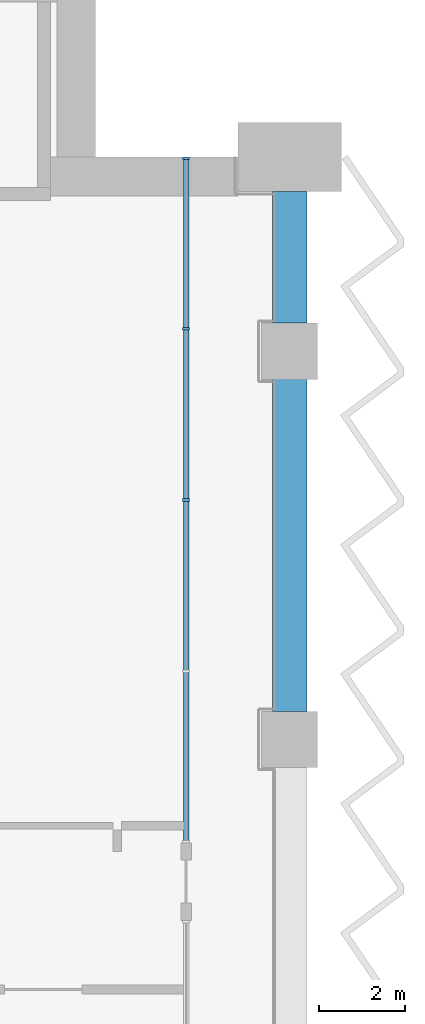
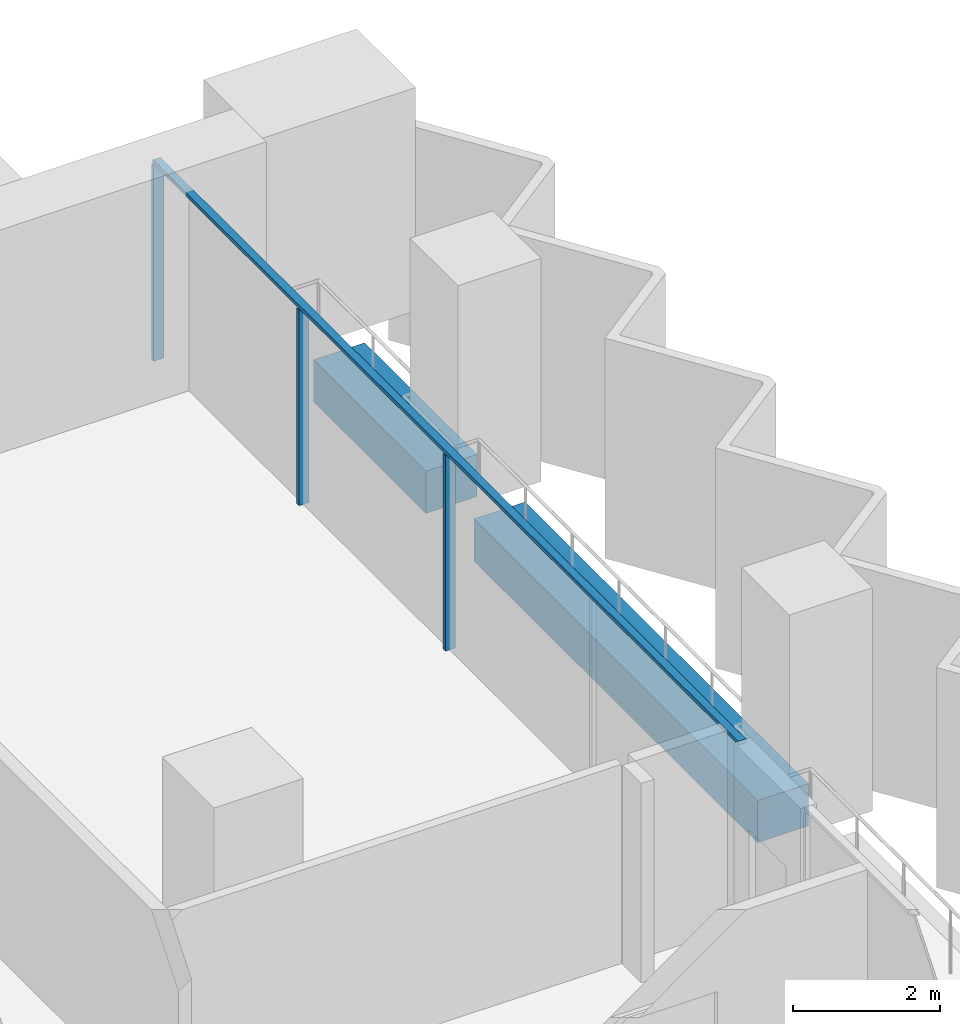
# One storey, part 7 of 29: 4 members, 2 beams, 1 element without a shape of its own.
"""IFC4 building model written with IfcOpenShell, lengths in metres."""

from ifc_helpers import new_model, si_unit, direction, frame, origin, origin_2d, place, context, subcontext, project, spatial, rectangle, extrude, material, material_profile, profile_set, type_object, element, aggregate, save


model = new_model("IFC4")

# Units and contexts
model_context = context("Model", 3, precision=1e-05, world=origin(), true_north=direction((0.0, 1.0)))
body_context = subcontext(model_context, "Body", "Model", "MODEL_VIEW")
ifc_project = project(units=[si_unit("LENGTHUNIT", "METRE"), si_unit("AREAUNIT", "SQUARE_METRE"), si_unit("VOLUMEUNIT", "CUBIC_METRE"), si_unit("PLANEANGLEUNIT", "RADIAN"), si_unit("MASSUNIT", "GRAM", prefix="KILO")], contexts=[model_context])

# Site, building, storey
site_placement = place(None, origin())
site = spatial("IfcSite", under=ifc_project, at=site_placement, CompositionType="ELEMENT")
building_placement = place(site_placement, origin())
building = spatial("IfcBuilding", under=site, at=building_placement, Name="Hunhe Ridgeline Campus", CompositionType="ELEMENT")
storey_placement = place(building_placement, frame((0.0, 0.0, 69.10009765625)))
storey = spatial("IfcBuildingStorey", under=building, at=storey_placement, Name="L16", CompositionType="ELEMENT", Elevation=69.10009765625)

# Curtain wall, members
ifc_material_1 = material(Name="Aluminium 6063", Category="aluminium")
curtain_wall_type = type_object("IfcCurtainWallType", Name="Curtain wall CW-1", PredefinedType="NOTDEFINED", material=ifc_material_1)
curtain_wall_placement = place(storey_placement, origin())
curtain_wall = element("IfcCurtainWall", 1, at=curtain_wall_placement, inside=storey, type_object=curtain_wall_type, Name="Curtain wall 15", PredefinedType="NOTDEFINED")
ifc_material_profile_1 = material_profile(ifc_material_1, rectangle(XDim=0.159912109375, YDim=0.06005859375, at=origin_2d()))
ifc_profile_set_1 = profile_set([ifc_material_profile_1], Name="Aluminium 6063")
member_type_1 = type_object("IfcMemberType", Name="CW-1 aluminium mullion", PredefinedType="MULLION", material=ifc_profile_set_1)
member_1_placement = place(storey_placement, frame((96.59912109375, 86.55029296875, 0.0), z_axis=(0.0, 0.0, 1.0), x_axis=(-1.0, 0.0, 0.0)))
member_1 = element("IfcMember", 2, at=member_1_placement, type_object=member_type_1, Name="CW-1 mullion 3", PredefinedType="MULLION", context=body_context, shape_type="SweptSolid", body=[
    extrude(rectangle(XDim=0.159912109375, YDim=0.06005859375, at=origin_2d()), origin(), (0.0, 0.0, 1.0), 3.239990234375),
])
member_2_placement = place(storey_placement, frame((96.59912109375, 90.525146484375, 0.0), z_axis=(0.0, 0.0, 1.0), x_axis=(-1.0, 0.0, 0.0)))
member_2 = element("IfcMember", 3, at=member_2_placement, type_object=member_type_1, Name="CW-1 mullion 4", PredefinedType="MULLION", context=body_context, shape_type="SweptSolid", body=[
    extrude(rectangle(XDim=0.159912109375, YDim=0.06005859375, at=origin_2d()), origin(), (0.0, 0.0, 1.0), 3.239990234375),
])
member_3_placement = place(storey_placement, frame((96.59912109375, 94.469970703125, 0.0), z_axis=(0.0, 0.0, 1.0), x_axis=(-1.0, 0.0, 0.0)))
member_3 = element("IfcMember", 4, at=member_3_placement, type_object=member_type_1, Name="CW-1 mullion 5", PredefinedType="MULLION", context=body_context, shape_type="SweptSolid", body=[
    extrude(rectangle(XDim=0.159912109375, YDim=0.06005859375, at=origin_2d()), origin(), (0.0, 0.0, 1.0), 3.239990234375),
])
ifc_material_profile_2 = material_profile(ifc_material_1, rectangle(XDim=0.1201171875, YDim=0.06005859375, at=origin_2d()))
ifc_profile_set_2 = profile_set([ifc_material_profile_2], Name="Aluminium 6063")
member_type_2 = type_object("IfcMemberType", Name="CW-1 aluminium transom", PredefinedType="USERDEFINED", material=ifc_profile_set_2)
member_4_placement = place(storey_placement, frame((96.59912109375, 78.6005859375, 3.27001953125), z_axis=(0.0, 1.0, 0.0), x_axis=(-1.0, 0.0, 0.0)))
member_4 = element("IfcMember", 5, at=member_4_placement, type_object=member_type_2, Name="CW-1 transom 1", ObjectType="TRANSOM", PredefinedType="USERDEFINED", context=body_context, shape_type="SweptSolid", body=[
    extrude(rectangle(XDim=0.1201171875, YDim=0.06005859375, at=origin_2d()), origin(), (0.0, 0.0, 1.0), 15.8994140625),
])
aggregate(curtain_wall, [member_4, member_1, member_2, member_3])

# Beams
ifc_material_2 = material(Name="Concrete C60", Category="concrete")
ifc_material_profile_3 = material_profile(ifc_material_2, rectangle(XDim=0.800048828125, YDim=0.699951171875, at=origin_2d()))
ifc_profile_set_3 = profile_set([ifc_material_profile_3], Name="Concrete C60")
beam_type = type_object("IfcBeamType", Name="RC spandrel beam 800x700 Concrete C60", PredefinedType="SPANDREL", material=ifc_profile_set_3)
beam_1_placement = place(storey_placement, frame((99.0, 81.64990234375, -0.60009765625), z_axis=(0.0, 1.0, 0.0), x_axis=(-1.0, 0.0, 0.0)))
element("IfcBeam", 6, at=beam_1_placement, inside=storey, type_object=beam_type, Name="Spandrel beam B1-23 L16", PredefinedType="SPANDREL", context=body_context, shape_type="SweptSolid", body=[
    extrude(rectangle(XDim=0.800048828125, YDim=0.699951171875, at=origin_2d()), origin(), (0.0, 0.0, 1.0), 7.7001953125),
])
beam_2_placement = place(storey_placement, frame((99.0, 90.64990234375, -0.60009765625), z_axis=(0.0, 1.0, 0.0), x_axis=(-1.0, 0.0, 0.0)))
element("IfcBeam", 7, at=beam_2_placement, inside=storey, type_object=beam_type, Name="Spandrel beam B1-24 L16", PredefinedType="SPANDREL", context=body_context, shape_type="SweptSolid", body=[
    extrude(rectangle(XDim=0.800048828125, YDim=0.699951171875, at=origin_2d()), origin(), (0.0, 0.0, 1.0), 3.050048828125),
])

save(model, "model.ifc")
